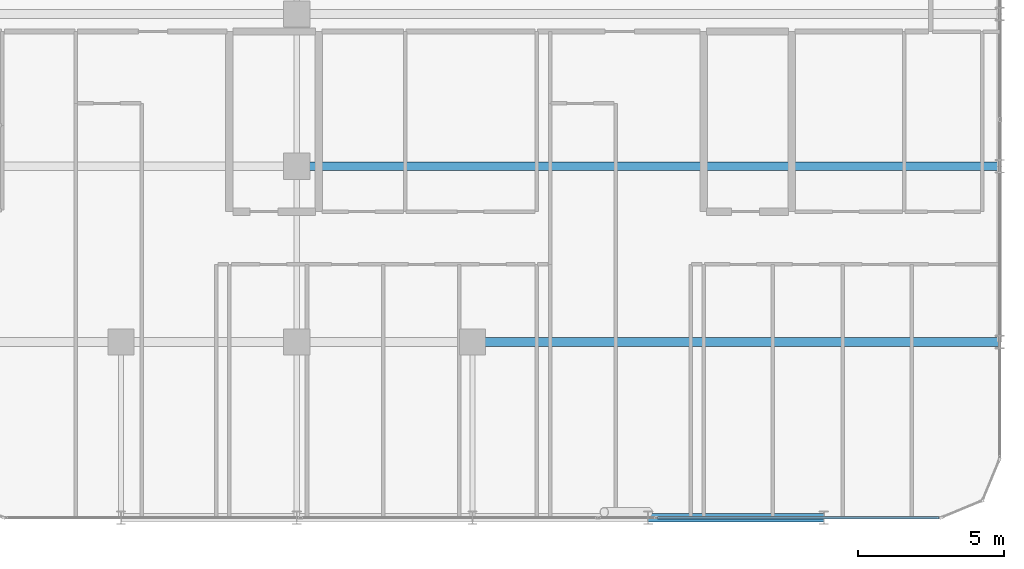
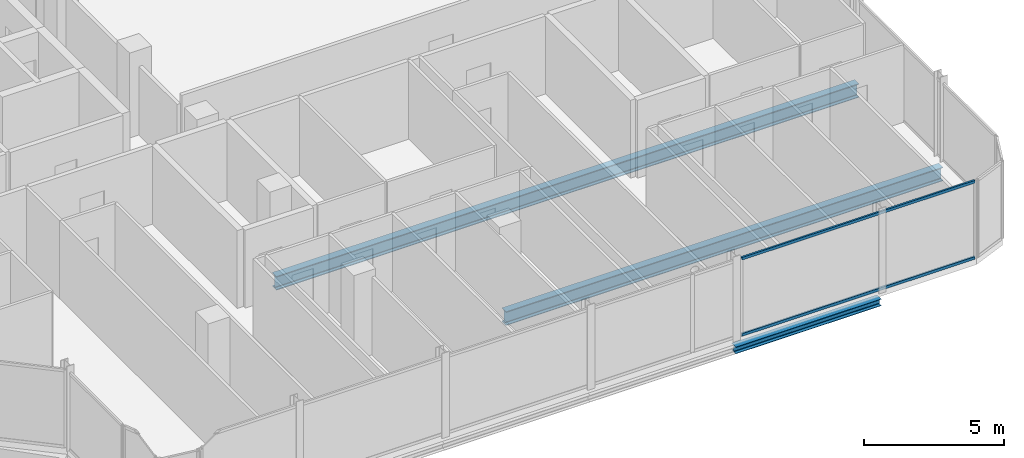
# One storey, part 11 of 29: 3 beams, 2 members, 1 element without a shape of its own.
"""IFC4 building model written with IfcOpenShell, lengths in metres."""

from ifc_helpers import new_model, si_unit, direction, frame, origin, origin_2d, place, context, subcontext, project, spatial, hollow_rectangle, i_section, extrude, material, layer, layer_set, material_profile, profile_set, type_object, element, aggregate, save


model = new_model("IFC4")

# Units and contexts
model_context = context("Model", 3, precision=1e-05, world=origin(), true_north=direction((0.0, 1.0)))
body_context = subcontext(model_context, "Body", "Model", "MODEL_VIEW")
ifc_project = project(units=[si_unit("LENGTHUNIT", "METRE"), si_unit("AREAUNIT", "SQUARE_METRE"), si_unit("VOLUMEUNIT", "CUBIC_METRE"), si_unit("PLANEANGLEUNIT", "RADIAN"), si_unit("MASSUNIT", "GRAM", prefix="KILO")], contexts=[model_context])

# Site, building, storey
site_placement = place(None, origin())
site = spatial("IfcSite", under=ifc_project, at=site_placement, CompositionType="ELEMENT")
building_placement = place(site_placement, origin())
building = spatial("IfcBuilding", under=site, at=building_placement, Name="Keshet Zoharim Tower", CompositionType="ELEMENT")
storey_placement = place(building_placement, frame((0.0, 0.0, 176.5)))
storey = spatial("IfcBuildingStorey", under=building, at=storey_placement, Name="L43", CompositionType="ELEMENT", Elevation=176.5)

# Beams
ifc_material_1 = material(Name="Steel S355", Category="steel")
ifc_material_profile_1 = material_profile(ifc_material_1, i_section(OverallWidth=0.300048828125, OverallDepth=0.60009765625, WebThickness=0.015380859375, FlangeThickness=0.030029296875, FilletRadius=0.027099609375, at=origin_2d()), Name="HEB600")
ifc_profile_set_1 = profile_set([ifc_material_profile_1], Name="Steel S355")
beam_type_1 = type_object("IfcBeamType", Name="BM-LNG-HB600", PredefinedType="BEAM", material=ifc_profile_set_1)
beam_1_placement = place(storey_placement, frame((39.0, 6.699951171875, -0.610107421875), z_axis=(1.0, 0.0, 0.0), x_axis=(0.0, 1.0, 0.0)))
element("IfcBeam", 1, at=beam_1_placement, inside=storey, type_object=beam_type_1, Name="L43 Primary Girder X-008", PredefinedType="BEAM", context=body_context, shape_type="SweptSolid", body=[
    extrude(i_section(OverallWidth=0.300048828125, OverallDepth=0.60009765625, WebThickness=0.015380859375, FlangeThickness=0.030029296875, FilletRadius=0.027099609375, at=origin_2d()), origin(), (0.0, 0.0, 1.0), 18.0),
])
beam_2_placement = place(storey_placement, frame((33.0, 12.699951171875, -0.610107421875), z_axis=(1.0, 0.0, 0.0), x_axis=(0.0, 1.0, 0.0)))
element("IfcBeam", 2, at=beam_2_placement, inside=storey, type_object=beam_type_1, Name="L43 Primary Girder X-010", PredefinedType="BEAM", context=body_context, shape_type="SweptSolid", body=[
    extrude(i_section(OverallWidth=0.300048828125, OverallDepth=0.60009765625, WebThickness=0.015380859375, FlangeThickness=0.030029296875, FilletRadius=0.027099609375, at=origin_2d()), origin(), (0.0, 0.0, 1.0), 24.0),
])
ifc_material_profile_2 = material_profile(ifc_material_1, i_section(OverallWidth=0.300048828125, OverallDepth=0.300048828125, WebThickness=0.010986328125, FlangeThickness=0.01904296875, FilletRadius=0.027099609375, at=origin_2d()), Name="HEB300")
ifc_profile_set_2 = profile_set([ifc_material_profile_2], Name="Steel S355")
beam_type_2 = type_object("IfcBeamType", Name="BM-PRI-HB300", PredefinedType="BEAM", material=ifc_profile_set_2)
beam_3_placement = place(storey_placement, frame((45.0, 0.699951171875, -0.4599609375), z_axis=(1.0, 0.0, 0.0), x_axis=(0.0, 1.0, 0.0)))
element("IfcBeam", 3, at=beam_3_placement, inside=storey, type_object=beam_type_2, Name="L43 Primary Girder X-004", PredefinedType="BEAM", context=body_context, shape_type="SweptSolid", body=[
    extrude(i_section(OverallWidth=0.300048828125, OverallDepth=0.300048828125, WebThickness=0.010986328125, FlangeThickness=0.01904296875, FilletRadius=0.027099609375, at=origin_2d()), origin(), (0.0, 0.0, 1.0), 6.0),
])

# Curtain wall, members
ifc_material_2 = material(Name="Aluminium 6063-T6", Category="aluminium")
ifc_layer = layer(ifc_material_2, 0.139892578125)
ifc_layer_set = layer_set([ifc_layer], Name="Aluminium 6063-T6")
curtain_wall_type = type_object("IfcCurtainWallType", Name="CW-SYS-05", PredefinedType="NOTDEFINED", material=ifc_layer_set)
curtain_wall_placement = place(storey_placement, origin())
curtain_wall = element("IfcCurtainWall", 4, at=curtain_wall_placement, inside=storey, type_object=curtain_wall_type, Name="L43 Unitised Curtain Wall 06", PredefinedType="NOTDEFINED")
ifc_material_profile_3 = material_profile(ifc_material_2, hollow_rectangle(XDim=0.074951171875, YDim=0.1201171875, WallThickness=0.00390625, at=origin_2d()), Name="TRN-75x120")
ifc_profile_set_3 = profile_set([ifc_material_profile_3], Name="Aluminium 6063-T6")
member_type = type_object("IfcMemberType", Name="CWT-T12", PredefinedType="USERDEFINED", material=ifc_profile_set_3)
member_1_placement = place(storey_placement, frame((54.929931640625, 0.699951171875, 0.034912109375), z_axis=(-1.0, 0.0, 0.0), x_axis=(0.0, -1.0, 0.0)))
member_1 = element("IfcMember", 5, at=member_1_placement, type_object=member_type, Name="CW-05 transom 1.1", ObjectType="TRANSOM", PredefinedType="USERDEFINED", context=body_context, shape_type="SweptSolid", body=[
    extrude(hollow_rectangle(XDim=0.074951171875, YDim=0.1201171875, WallThickness=0.00390625, at=origin_2d()), origin(), (0.0, 0.0, 1.0), 9.61181640625),
])
member_2_placement = place(storey_placement, frame((54.929931640625, 0.699951171875, 3.35498046875), z_axis=(-1.0, 0.0, 0.0), x_axis=(0.0, -1.0, 0.0)))
member_2 = element("IfcMember", 6, at=member_2_placement, type_object=member_type, Name="CW-05 transom 1.2", ObjectType="TRANSOM", PredefinedType="USERDEFINED", context=body_context, shape_type="SweptSolid", body=[
    extrude(hollow_rectangle(XDim=0.074951171875, YDim=0.1201171875, WallThickness=0.00390625, at=origin_2d()), origin(), (0.0, 0.0, 1.0), 9.61181640625),
])
aggregate(curtain_wall, [member_1, member_2])

save(model, "model.ifc")
